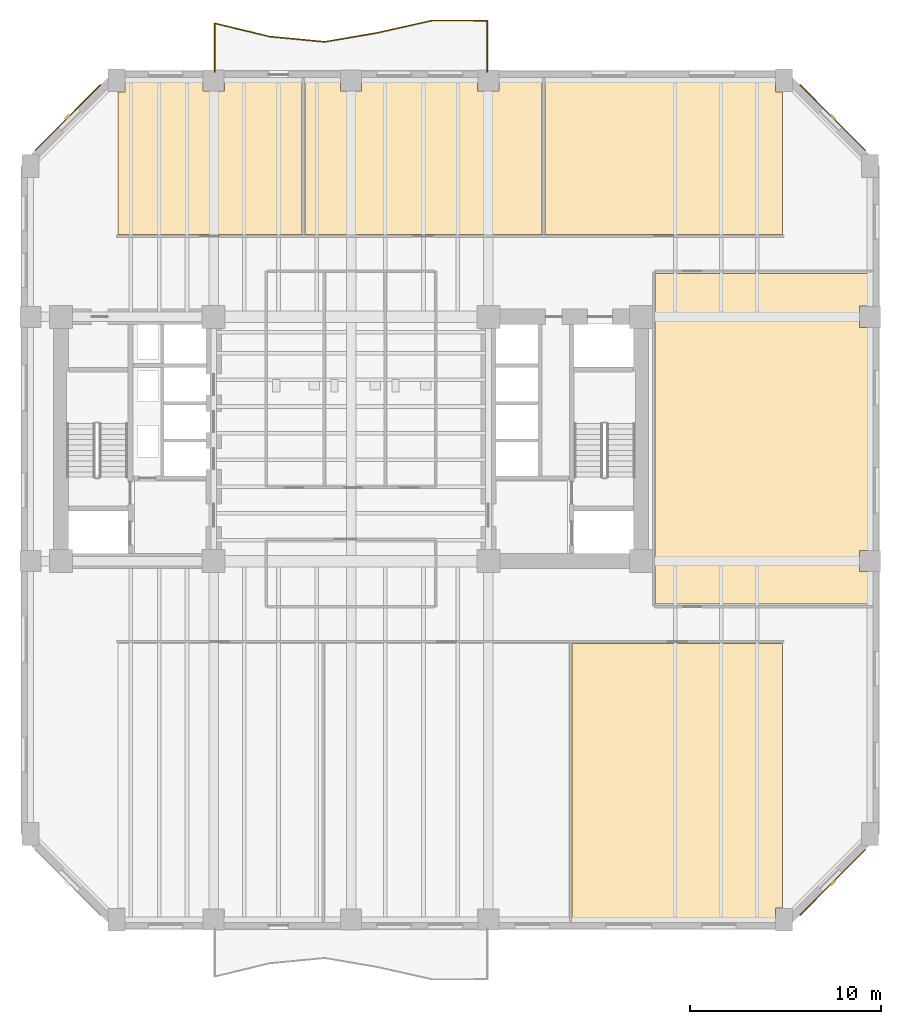
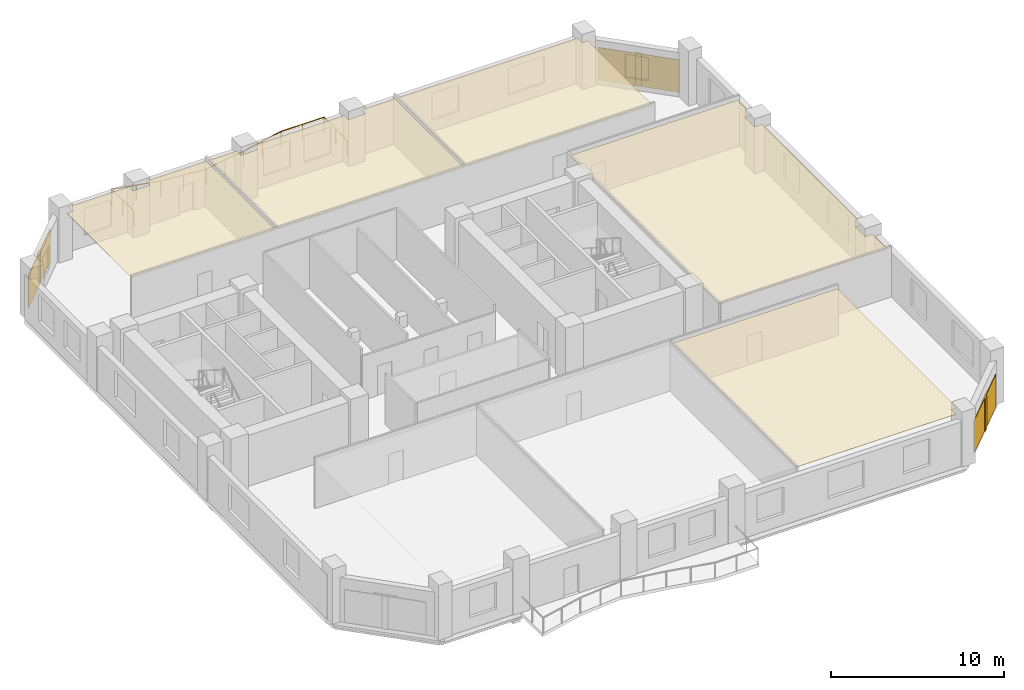
# One storey, part 8 of 9: 8 coverings, 3 shading devices, 1 railing.
"""IFC4 building model written with IfcOpenShell, lengths in metres."""

from ifc_helpers import new_model, si_unit, direction, frame, origin, origin_2d, place, context, subcontext, project, spatial, polyline, rectangle, circle, outline, extrude, material, layer, layer_set, type_object, element, save


model = new_model("IFC4")

# Units and contexts
model_context = context("Model", 3, precision=1e-05, world=origin(), true_north=direction((0.0, 1.0)))
body_context = subcontext(model_context, "Body", "Model", "MODEL_VIEW")
ifc_project = project(units=[si_unit("LENGTHUNIT", "METRE"), si_unit("AREAUNIT", "SQUARE_METRE"), si_unit("VOLUMEUNIT", "CUBIC_METRE"), si_unit("PLANEANGLEUNIT", "RADIAN"), si_unit("MASSUNIT", "GRAM", prefix="KILO")], contexts=[model_context])

# Site, building, storey
site_placement = place(None, origin())
site = spatial("IfcSite", under=ifc_project, at=site_placement, CompositionType="ELEMENT")
building_placement = place(site_placement, origin())
building = spatial("IfcBuilding", under=site, at=building_placement, Name="Kranthara Brick Stack", CompositionType="ELEMENT")
storey_placement = place(building_placement, frame((0.0, 0.0, 55.5)))
storey = spatial("IfcBuildingStorey", under=building, at=storey_placement, Name="L13", CompositionType="ELEMENT", Elevation=55.5)

# Coverings
ifc_material_1 = material(Name="Perforated mineral-fibre acoustic ceiling tile", Category="other")
ifc_layer_1 = layer(ifc_material_1, 0.02490234375)
ifc_layer_set_1 = layer_set([ifc_layer_1], Name="Perforated mineral-fibre acoustic ceiling tile")
covering_type_1 = type_object("IfcCoveringType", Name="COV-CEIL-ACOUSTIC", PredefinedType="CEILING", material=ifc_layer_set_1)
covering_1_placement = place(storey_placement, frame((0.0, 0.0, 3.330078125)))
element("IfcCovering", 1, at=covering_1_placement, inside=storey, type_object=covering_type_1, Name="L13 L13 Staff Pantry 3 Acoustic Ceiling", PredefinedType="CEILING", context=body_context, shape_type="SweptSolid", body=[
    extrude(outline(polyline([(39.580078125, 2.070068359375), (39.580078125, 16.47998046875), (50.6201171875, 16.47998046875), (50.6201171875, 2.610107421875), (50.239990234375, 2.610107421875), (50.239990234375, 2.070068359375), (39.580078125, 2.070068359375)])), origin(), (0.0, 0.0, 1.0), 0.02490234375),
])
covering_2_placement = place(storey_placement, frame((0.0, 0.0, 3.330078125)))
element("IfcCovering", 2, at=covering_2_placement, inside=storey, type_object=covering_type_1, Name="L13 L13 Open Plan Workspace 1 Acoustic Ceiling", PredefinedType="CEILING", context=body_context, shape_type="SweptSolid", body=[
    extrude(outline(polyline([(25.419921875, 37.919921875), (15.780029296875, 37.919921875), (15.780029296875, 45.389892578125), (16.159912109375, 45.389892578125), (16.159912109375, 45.929931640625), (20.239990234375, 45.929931640625), (20.239990234375, 45.43994140625), (21.360107421875, 45.43994140625), (21.360107421875, 45.929931640625), (25.419921875, 45.929931640625), (25.419921875, 37.919921875)])), origin(), (0.0, 0.0, 1.0), 0.02490234375),
])
covering_3_placement = place(storey_placement, frame((0.0, 0.0, 3.330078125)))
element("IfcCovering", 3, at=covering_3_placement, inside=storey, type_object=covering_type_1, Name="L13 L13 Collaboration Lounge 2 Acoustic Ceiling", PredefinedType="CEILING", context=body_context, shape_type="SweptSolid", body=[
    extrude(outline(polyline([(38.02001953125, 37.919921875), (25.580078125, 37.919921875), (25.580078125, 45.929931640625), (27.43994140625, 45.929931640625), (27.43994140625, 45.43994140625), (28.56005859375, 45.43994140625), (28.56005859375, 45.929931640625), (34.639892578125, 45.929931640625), (34.639892578125, 45.43994140625), (35.760009765625, 45.43994140625), (35.760009765625, 45.929931640625), (38.02001953125, 45.929931640625), (38.02001953125, 37.919921875)])), origin(), (0.0, 0.0, 1.0), 0.02490234375),
])
covering_4_placement = place(storey_placement, frame((0.0, 0.0, 3.330078125)))
element("IfcCovering", 4, at=covering_4_placement, inside=storey, type_object=covering_type_1, Name="L13 L13 Client Briefing Suite 3 Acoustic Ceiling", PredefinedType="CEILING", context=body_context, shape_type="SweptSolid", body=[
    extrude(outline(polyline([(50.6201171875, 37.919921875), (38.179931640625, 37.919921875), (38.179931640625, 45.929931640625), (50.239990234375, 45.929931640625), (50.239990234375, 45.389892578125), (50.6201171875, 45.389892578125), (50.6201171875, 37.919921875)])), origin(), (0.0, 0.0, 1.0), 0.02490234375),
])
covering_5_placement = place(storey_placement, frame((0.0, 0.0, 3.330078125)))
element("IfcCovering", 5, at=covering_5_placement, inside=storey, type_object=covering_type_1, Name="L13 L13 East Client Office 1 Acoustic Ceiling", PredefinedType="CEILING", context=body_context, shape_type="SweptSolid", body=[
    extrude(outline(polyline([(43.919921875, 18.5400390625), (43.919921875, 35.860107421875), (55.1298828125, 35.860107421875), (55.1298828125, 34.159912109375), (54.639892578125, 34.159912109375), (54.639892578125, 33.0400390625), (55.1298828125, 33.0400390625), (55.1298828125, 21.360107421875), (54.639892578125, 21.360107421875), (54.639892578125, 20.239990234375), (55.1298828125, 20.239990234375), (55.1298828125, 18.5400390625), (43.919921875, 18.5400390625)])), origin(), (0.0, 0.0, 1.0), 0.02490234375),
])
ifc_material_2 = material(Name="Warm buff kiln-fired brick slip rainscreen", Category="masonry")
ifc_layer_2 = layer(ifc_material_2, 0.044921875)
ifc_layer_set_2 = layer_set([ifc_layer_2], Name="Warm buff kiln-fired brick slip rainscreen")
covering_type_2 = type_object("IfcCoveringType", Name="COV-CLAD-BRICK", PredefinedType="CLADDING", material=ifc_layer_set_2)
for number, where, z_axis, x_axis, name in (
    (6, (13.156494140625, 44.04345703125, 0.0498046875), (0.0, 0.0, 1.0), (0.707106781187, 0.707106781187, 0.0), "L13 Chamfer Brick Rainscreen Cladding NW"),
    (7, (53.243408203125, 44.04345703125, 0.0498046875), (0.0, 0.0, 1.0), (0.707106781187, -0.707106781187, 0.0), "L13 Chamfer Brick Rainscreen Cladding NE"),
    (8, (53.243408203125, 3.95654296875, 0.0498046875), (0.0, 0.0, 1.0), (-0.707106781187, -0.707106781187, 0.0), "L13 Chamfer Brick Rainscreen Cladding SE"),
):
    element("IfcCovering", number, at=place(storey_placement, frame(where, z_axis=z_axis, x_axis=x_axis)), inside=storey, type_object=covering_type_2, Name=name, PredefinedType="CLADDING", context=body_context, shape_type="SweptSolid", body=[
        extrude(rectangle(XDim=4.876953125, YDim=0.044921875, at=origin_2d()), origin(), (0.0, 0.0, 1.0), 2.300048828125),
    ])

# Railing
ifc_material_3 = material(Name="Bronze anodised aluminium and laminated glass balustrade", Category="aluminium")
railing_type = type_object("IfcRailingType", Name="RL-BALC-1120", PredefinedType="BALUSTRADE", material=ifc_material_3)
railing_placement = place(storey_placement, frame((20.860107421875, 46.43994140625, 0.0)))
element("IfcRailing", 9, at=railing_placement, inside=storey, type_object=railing_type, Name="L13 North Rippling Balcony Balustrade", PredefinedType="BALUSTRADE", context=body_context, shape_type="SweptSolid", body=[
    extrude(circle(Radius=0.02392578125, at=origin_2d()), frame((0.0, 0.0, 1.09619140625), z_axis=(-0.000191828118, 0.999999981601, 0.0), x_axis=(-0.999999981601, -0.000191828118, 0.0)), (0.0, 0.0, 1.0), 2.54541015625),
    extrude(circle(Radius=0.02392578125, at=origin_2d()), frame((-0.00048828125, 2.54541015625, 1.09619140625), z_axis=(0.972059523118, -0.234734495793, 0.0), x_axis=(0.234734495793, 0.972059523118, 0.0)), (0.0, 0.0, 1.0), 2.963134765625),
    extrude(circle(Radius=0.02392578125, at=origin_2d()), frame((2.8798828125, 1.849853515625, 1.09619140625), z_axis=(0.995490919955, -0.094856883183, 0.0), x_axis=(0.094856883183, 0.995490919955, 0.0)), (0.0, 0.0, 1.0), 2.892822265625),
    extrude(circle(Radius=0.02392578125, at=origin_2d()), frame((5.759765625, 1.575439453125, 1.09619140625), z_axis=(0.985729020819, 0.168339827475, 0.0), x_axis=(-0.168339827475, 0.985729020819, 0.0)), (0.0, 0.0, 1.0), 2.802001953125),
    extrude(circle(Radius=0.02392578125, at=origin_2d()), frame((8.521728515625, 2.047119140625, 1.09619140625), z_axis=(0.975646939441, 0.219346870413, 0.0), x_axis=(-0.219346870413, 0.975646939441, 0.0)), (0.0, 0.0, 1.0), 2.95166015625),
    extrude(circle(Radius=0.02392578125, at=origin_2d()), frame((11.401611328125, 2.694580078125, 1.09619140625), z_axis=(0.999997752635, -0.002120076647, 0.0), x_axis=(0.002120076647, 0.999997752635, 0.0)), (0.0, 0.0, 1.0), 2.87890625),
    extrude(circle(Radius=0.02392578125, at=origin_2d()), frame((14.280517578125, 2.6884765625, 1.09619140625), z_axis=(-0.000272430066, -0.999999962891, 0.0), x_axis=(0.999999962891, -0.000272430066, 0.0)), (0.0, 0.0, 1.0), 2.6884765625),
    extrude(circle(Radius=0.02099609375, at=origin_2d()), origin(), (0.0, 0.0, 1.0), 1.072021484375),
    extrude(circle(Radius=0.02099609375, at=origin_2d()), frame((-0.000244140625, 1.272705078125, 0.0)), (0.0, 0.0, 1.0), 1.072021484375),
    extrude(circle(Radius=0.02099609375, at=origin_2d()), frame((-0.00048828125, 2.54541015625, 0.0)), (0.0, 0.0, 1.0), 1.072021484375),
    extrude(circle(Radius=0.02099609375, at=origin_2d()), frame((1.439697265625, 2.19775390625, 0.0)), (0.0, 0.0, 1.0), 1.072021484375),
    extrude(circle(Radius=0.02099609375, at=origin_2d()), frame((2.8798828125, 1.849853515625, 0.0)), (0.0, 0.0, 1.0), 1.072021484375),
    extrude(circle(Radius=0.02099609375, at=origin_2d()), frame((4.31982421875, 1.712646484375, 0.0)), (0.0, 0.0, 1.0), 1.072021484375),
    extrude(circle(Radius=0.02099609375, at=origin_2d()), frame((5.759765625, 1.575439453125, 0.0)), (0.0, 0.0, 1.0), 1.072021484375),
    extrude(circle(Radius=0.02099609375, at=origin_2d()), frame((7.140625, 1.811279296875, 0.0)), (0.0, 0.0, 1.0), 1.072021484375),
    extrude(circle(Radius=0.02099609375, at=origin_2d()), frame((8.521728515625, 2.047119140625, 0.0)), (0.0, 0.0, 1.0), 1.072021484375),
    extrude(circle(Radius=0.02099609375, at=origin_2d()), frame((9.961669921875, 2.370849609375, 0.0)), (0.0, 0.0, 1.0), 1.072021484375),
    extrude(circle(Radius=0.02099609375, at=origin_2d()), frame((11.401611328125, 2.694580078125, 0.0)), (0.0, 0.0, 1.0), 1.072021484375),
    extrude(circle(Radius=0.02099609375, at=origin_2d()), frame((12.841064453125, 2.69140625, 0.0)), (0.0, 0.0, 1.0), 1.072021484375),
    extrude(circle(Radius=0.02099609375, at=origin_2d()), frame((14.280517578125, 2.6884765625, 0.0)), (0.0, 0.0, 1.0), 1.072021484375),
    extrude(circle(Radius=0.02099609375, at=origin_2d()), frame((14.2802734375, 1.34423828125, 0.0)), (0.0, 0.0, 1.0), 1.072021484375),
    extrude(circle(Radius=0.02099609375, at=origin_2d()), frame((14.27978515625, 0.0, 0.0)), (0.0, 0.0, 1.0), 1.072021484375),
])

# Shading devices
ifc_material_4 = material(Name="Kiln-fired terracotta aerodynamic wind fin", Category="masonry")
shading_device_type = type_object("IfcShadingDeviceType", Name="SHD-BAFFLE-CORNER", PredefinedType="SHUTTER", material=ifc_material_4)
for number, where, z_axis, x_axis, name in (
    (10, (13.13525390625, 44.064697265625, 0.0498046875), (0.0, 0.0, 1.0), (0.707106781187, 0.707106781187, 0.0), "L13 Chamfer Wind-Baffle Fin NW"),
    (11, (53.2646484375, 44.064697265625, 0.0498046875), (0.0, 0.0, 1.0), (0.707106781187, -0.707106781187, 0.0), "L13 Chamfer Wind-Baffle Fin NE"),
    (12, (53.2646484375, 3.935302734375, 0.0498046875), (0.0, 0.0, 1.0), (-0.707106781187, -0.707106781187, 0.0), "L13 Chamfer Wind-Baffle Fin SE"),
):
    element("IfcShadingDevice", number, at=place(storey_placement, frame(where, z_axis=z_axis, x_axis=x_axis)), inside=storey, type_object=shading_device_type, Name=name, PredefinedType="SHUTTER", context=body_context, shape_type="SweptSolid", body=[
        extrude(rectangle(XDim=0.35009765625, YDim=0.1201171875, at=origin_2d()), origin(), (0.0, 0.0, 1.0), 2.300048828125),
    ])

save(model, "model.ifc")
